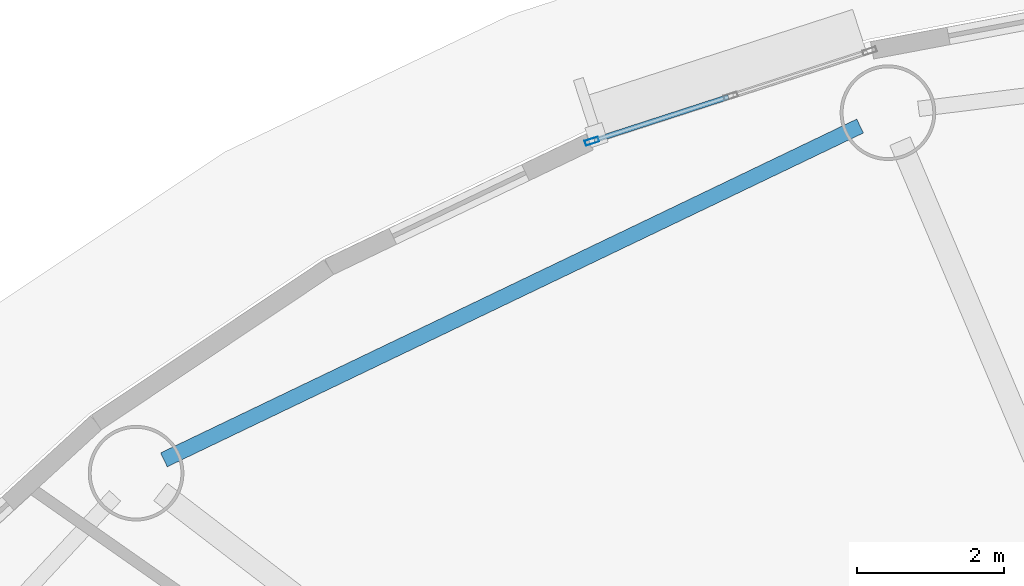
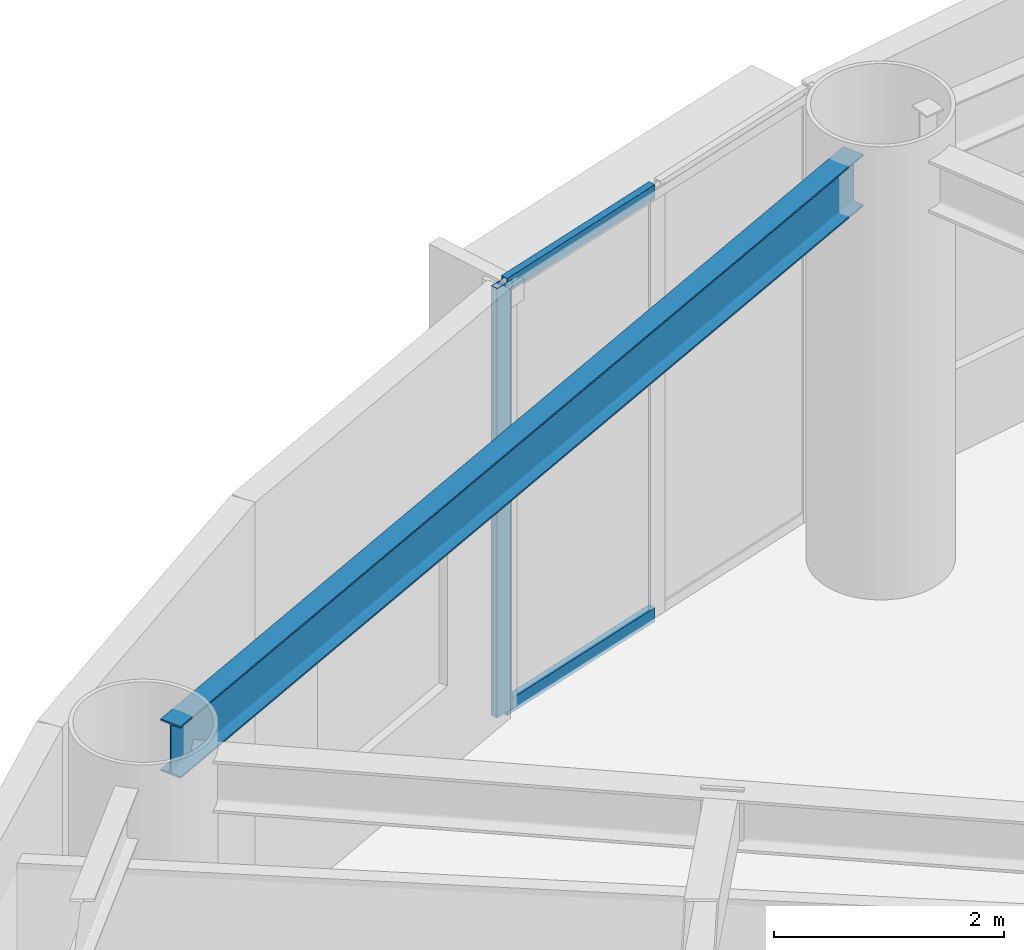
# One storey, part 18 of 38: 3 members, 1 beam, 1 element without a shape of its own.
"""IFC4 building model written with IfcOpenShell, lengths in metres."""

from ifc_helpers import new_model, si_unit, direction, frame, origin, origin_2d, place, context, subcontext, project, spatial, hollow_rectangle, i_section, extrude, source, transform, mapped, material, layer, layer_set, material_profile, profile_set, type_object, element, aggregate, save


model = new_model("IFC4")

# Units and contexts
model_context = context("Model", 3, precision=1e-05, world=origin(), true_north=direction((0.0, 1.0)))
body_context = subcontext(model_context, "Body", "Model", "MODEL_VIEW")
ifc_project = project(units=[si_unit("LENGTHUNIT", "METRE"), si_unit("AREAUNIT", "SQUARE_METRE"), si_unit("VOLUMEUNIT", "CUBIC_METRE"), si_unit("PLANEANGLEUNIT", "RADIAN"), si_unit("MASSUNIT", "GRAM", prefix="KILO")], contexts=[model_context])

# Site, building, storey
site_placement = place(None, origin())
site = spatial("IfcSite", under=ifc_project, at=site_placement, CompositionType="ELEMENT")
building_placement = place(site_placement, origin())
building = spatial("IfcBuilding", under=site, at=building_placement, Name="Linh Dai School and Residence Tower", CompositionType="ELEMENT")
storey_placement = place(building_placement, frame((0.0, 0.0, 151.35009765625)))
storey = spatial("IfcBuildingStorey", under=building, at=storey_placement, Name="L36", CompositionType="ELEMENT", Elevation=151.35009765625)

# Beam
ifc_material_1 = material(Name="Structural Steel S355JR", Category="steel")
ifc_material_profile_1 = material_profile(ifc_material_1, i_section(OverallWidth=0.2099609375, OverallDepth=0.550048828125, WebThickness=0.010986328125, FlangeThickness=0.01708984375, FilletRadius=0.02392578125, at=origin_2d()), Name="IPE 550")
ifc_profile_set_1 = profile_set([ifc_material_profile_1], Name="Structural Steel S355JR")
beam_type = type_object("IfcBeamType", Name="BM-RB55", PredefinedType="BEAM", material=ifc_profile_set_1)
beam_placement = place(storey_placement, frame((27.64794921875, 45.659912109375, 4.27490234375), z_axis=(-0.901708141823, -0.432345263614, 0.0), x_axis=(0.432345263614, -0.901708141823, 0.0)))
element("IfcBeam", 1, at=beam_placement, inside=storey, type_object=beam_type, Name="L36 Perimeter Elliptical Ring Beam 06", PredefinedType="BEAM", context=body_context, shape_type="SweptSolid", body=[
    extrude(i_section(OverallWidth=0.2099609375, OverallDepth=0.550048828125, WebThickness=0.010986328125, FlangeThickness=0.01708984375, FilletRadius=0.02392578125, at=origin_2d()), origin(), (0.0, 0.0, 1.0), 10.4931640625),
])

# Curtain wall, members
ifc_material_2 = material(Name="Aluminium Anodised Curtain Wall", Category="aluminium")
ifc_layer = layer(ifc_material_2, 0.18994140625)
ifc_layer_set = layer_set([ifc_layer], Name="Aluminium Anodised Curtain Wall")
curtain_wall_type = type_object("IfcCurtainWallType", Name="CW-SYS-5", PredefinedType="USERDEFINED", material=ifc_layer_set)
curtain_wall_placement = place(storey_placement, origin())
curtain_wall = element("IfcCurtainWall", 2, at=curtain_wall_placement, inside=storey, type_object=curtain_wall_type, Name="L36 CW5 Curtain Wall 13", ObjectType="UNITISED CURTAIN WALL", PredefinedType="USERDEFINED")
ifc_material_3 = material(Name="Aluminium Alloy 6063-T6", Category="aluminium")
ifc_material_profile_2 = material_profile(ifc_material_3, hollow_rectangle(XDim=0.070068359375, YDim=0.18994140625, WallThickness=0.00390625, at=origin_2d()), Name="RHS 190x70x4")
ifc_profile_set_2 = profile_set([ifc_material_profile_2], Name="Aluminium Alloy 6063-T6")
member_type_1 = type_object("IfcMemberType", Name="CW-SYS-5-MUL", PredefinedType="MULLION", material=ifc_profile_set_2)
shared_shape_1 = source(origin(), body_context, "Body", "SweptSolid", [
    extrude(hollow_rectangle(XDim=0.070068359375, YDim=0.18994140625, WallThickness=0.00390625, at=origin_2d()), origin(), (0.0, 0.0, 1.0), 4.5498046875),
])
member_1_placement = place(storey_placement, frame((24.00341796875, 45.454345703125, 0.0), z_axis=(0.0, 0.0, 1.0), x_axis=(-0.308535707031, 0.951212761419, 0.0)))
member_1 = element("IfcMember", 3, at=member_1_placement, type_object=member_type_1, Name="CW5 mullion 1", PredefinedType="MULLION", context=body_context, shape_type="MappedRepresentation", body=[
    mapped(shared_shape_1, transform((0.0, 0.0, 0.0), x_axis=(1.0, 0.0, 0.0), y_axis=(0.0, 1.0, 0.0), z_axis=(0.0, 0.0, 1.0), scale=1.0)),
])
ifc_material_profile_3 = material_profile(ifc_material_3, hollow_rectangle(XDim=0.070068359375, YDim=0.14990234375, WallThickness=0.00390625, at=origin_2d()), Name="RHS 150x70x4")
ifc_profile_set_3 = profile_set([ifc_material_profile_3], Name="Aluminium Alloy 6063-T6")
member_type_2 = type_object("IfcMemberType", Name="CW-SYS-5-TRN", PredefinedType="USERDEFINED", material=ifc_profile_set_3)
shared_shape_2 = source(origin(), body_context, "Body", "SweptSolid", [
    extrude(hollow_rectangle(XDim=0.070068359375, YDim=0.14990234375, WallThickness=0.00390625, at=origin_2d()), origin(), (0.0, 0.0, 1.0), 1.913818359375),
])
member_2_placement = place(storey_placement, frame((24.036865234375, 45.465087890625, 0.034912109375), z_axis=(0.951191447533, 0.308601409815, 0.0), x_axis=(-0.308601409815, 0.951191447533, 0.0)))
member_2 = element("IfcMember", 4, at=member_2_placement, type_object=member_type_2, Name="CW5 transom 1.1", ObjectType="TRANSOM", PredefinedType="USERDEFINED", context=body_context, shape_type="MappedRepresentation", body=[
    mapped(shared_shape_2, transform((0.0, 0.0, 0.0), x_axis=(1.0, 0.0, 0.0), y_axis=(0.0, 1.0, 0.0), z_axis=(0.0, 0.0, 1.0), scale=1.0)),
])
member_3_placement = place(storey_placement, frame((24.036865234375, 45.465087890625, 4.514892578125), z_axis=(0.951191447533, 0.308601409815, 0.0), x_axis=(-0.308601409815, 0.951191447533, 0.0)))
member_3 = element("IfcMember", 5, at=member_3_placement, type_object=member_type_2, Name="CW5 transom 1.2", ObjectType="TRANSOM", PredefinedType="USERDEFINED", context=body_context, shape_type="MappedRepresentation", body=[
    mapped(shared_shape_2, transform((0.0, 0.0, 0.0), x_axis=(1.0, 0.0, 0.0), y_axis=(0.0, 1.0, 0.0), z_axis=(0.0, 0.0, 1.0), scale=1.0)),
])
aggregate(curtain_wall, [member_1, member_2, member_3])

save(model, "model.ifc")
